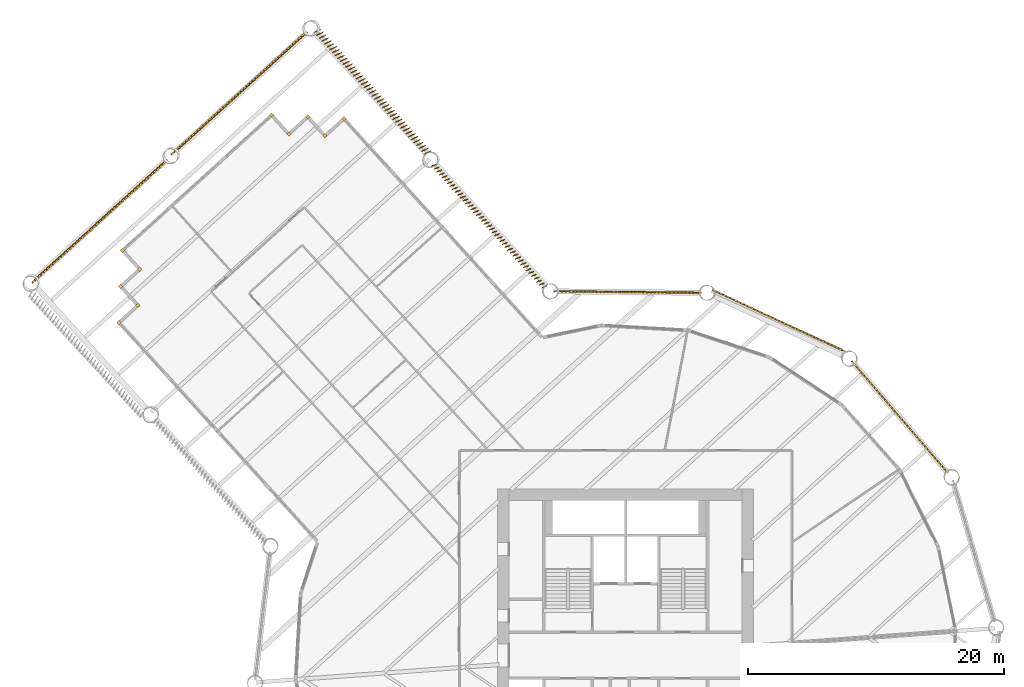
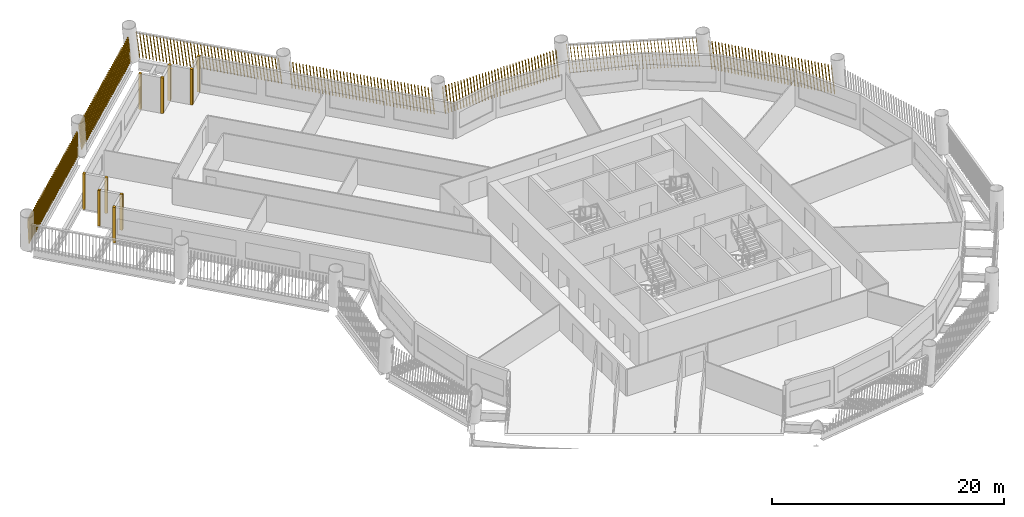
# One storey, part 14 of 15: 17 shading devices.
"""IFC4 building model written with IfcOpenShell, lengths in metres."""

import ifcopenshell
import ifcopenshell.guid

model = None  # the IFC model being written
_history = None  # IfcOwnerHistory: only IFC2X3 demands one
_inside = {}  # id of a spatial element -> (the spatial element, [elements in it])
_under = {}  # id of a project, library or spatial element -> (it, [spatial elements below it])
_declared = {}  # id of a project -> (the project, [libraries it declares])
_typed = {}  # id of a type object -> (the type object, [elements of that type])
_made_of = {}  # id of a material, layer set ... -> (it, [elements and type objects made of it])


def new_model(schema):
    """Start an empty IFC model of exactly this schema.

    Asked for "IFC4X3", IfcOpenShell would pick the latest addendum, in which some entities
    have other attributes; the version numbers below select the first issue.
    IFC2X3 requires an IfcOwnerHistory on every rooted entity: one is made here for all.
    """
    global model, _history
    if schema == "IFC4X3":
        model = ifcopenshell.file(schema_version=(4, 3, 0, 0))
    else:
        model = ifcopenshell.file(schema=schema)
    _inside.clear()
    _under.clear()
    _declared.clear()
    _typed.clear()
    _made_of.clear()
    _history = None
    if model.schema == "IFC2X3":
        org = make("IfcOrganization", Name="unknown")
        user = make(
            "IfcPersonAndOrganization",
            ThePerson=make("IfcPerson", FamilyName="unknown"),
            TheOrganization=org,
        )
        app = make(
            "IfcApplication",
            ApplicationDeveloper=org,
            Version="unknown",
            ApplicationFullName="unknown",
            ApplicationIdentifier="unknown",
        )
        _history = make(
            "IfcOwnerHistory",
            OwningUser=user,
            OwningApplication=app,
            ChangeAction="ADDED",
            CreationDate=0,
        )
    return model


def make(cls, **values):
    """One entity of the class cls with the attributes given. An attribute that is None is left unset."""
    return model.create_entity(
        cls, **{name: value for name, value in values.items() if value is not None}
    )


def rooted(cls, **values):
    """An entity with a GlobalId (a new one), such as an element, a storey or a relation."""
    return make(cls, GlobalId=ifcopenshell.guid.new(), OwnerHistory=_history, **values)


def si_unit(unit_type, name, prefix=None):
    """IfcSIUnit, for example si_unit("LENGTHUNIT", "METRE", prefix="MILLI")."""
    return make("IfcSIUnit", UnitType=unit_type, Prefix=prefix, Name=name)


def assignment(units):
    """IfcUnitAssignment: the units of a project."""
    return None if units is None else make("IfcUnitAssignment", Units=units)


def point(xyz):
    """IfcCartesianPoint."""
    return None if xyz is None else make("IfcCartesianPoint", Coordinates=xyz)


def direction(xyz):
    """IfcDirection."""
    return None if xyz is None else make("IfcDirection", DirectionRatios=xyz)


def frame(location, z_axis=None, x_axis=None):
    """IfcAxis2Placement3D, a coordinate frame: its origin and axes. An axis left out is left unset."""
    return make(
        "IfcAxis2Placement3D",
        Location=point(location),
        Axis=direction(z_axis),
        RefDirection=direction(x_axis),
    )


def frame_2d(location, x_axis=None):
    """IfcAxis2Placement2D, a coordinate frame in the plane: its origin and x axis."""
    return make(
        "IfcAxis2Placement2D", Location=point(location), RefDirection=direction(x_axis)
    )


def origin():
    """The frame at (0, 0, 0) with its axes left unset."""
    return frame((0.0, 0.0, 0.0))


def origin_2d():
    """The frame at (0, 0) in the plane with its x axis left unset."""
    return frame_2d((0.0, 0.0))


def place(relative_to, where):
    """IfcLocalPlacement: puts the frame where relative to a parent placement (None: the world)."""
    return make(
        "IfcLocalPlacement", PlacementRelTo=relative_to, RelativePlacement=where
    )


def context(
    kind, dimensions, precision=None, world=None, true_north=None, identifier=None
):
    """IfcGeometricRepresentationContext, for example the 3D "Model" context."""
    return make(
        "IfcGeometricRepresentationContext",
        ContextIdentifier=identifier,
        ContextType=kind,
        CoordinateSpaceDimension=dimensions,
        Precision=precision,
        WorldCoordinateSystem=world,
        TrueNorth=true_north,
    )


def subcontext(parent, identifier, kind, view, scale=None):
    """IfcGeometricRepresentationSubContext, for example "Body" below "Model"."""
    return make(
        "IfcGeometricRepresentationSubContext",
        ContextIdentifier=identifier,
        ContextType=kind,
        ParentContext=parent,
        TargetScale=scale,
        TargetView=view,
    )


def project(units=None, contexts=None):
    """IfcProject with its units and contexts."""
    return rooted(
        "IfcProject",
        Name="project",
        RepresentationContexts=contexts,
        UnitsInContext=assignment(units),
    )


def spatial(cls, under=None, at=None, **own):
    """A site, building, storey or space (cls), placed at a placement, below another one or the project."""
    s = rooted(cls, ObjectPlacement=at, **own)
    if under is not None:
        _under.setdefault(under.id(), (under, []))[1].append(s)
    return s


def profile(cls, at=None, kind="AREA", **sizes):
    """A parametric profile (cls). Its sizes go by their IFC names, for example OverallWidth=200.0."""
    return make(cls, ProfileType=kind, Position=at, **sizes)


def rectangle(**sizes):
    """IfcRectangleProfileDef."""
    return profile("IfcRectangleProfileDef", **sizes)


def composite_profile(profiles, kind="AREA"):
    """IfcCompositeProfileDef: several profiles as one."""
    return make("IfcCompositeProfileDef", ProfileType=kind, Profiles=profiles)


def extrude(swept, where, along, depth):
    """IfcExtrudedAreaSolid: the profile swept, set in the frame where, extruded along a direction by depth."""
    return make(
        "IfcExtrudedAreaSolid",
        SweptArea=swept,
        Position=where,
        ExtrudedDirection=direction(along),
        Depth=depth,
    )


def shape(context_of_items, identifier, shape_type, items):
    """IfcShapeRepresentation: the items that make up one representation, for example the "Body"."""
    return make(
        "IfcShapeRepresentation",
        ContextOfItems=context_of_items,
        RepresentationIdentifier=identifier,
        RepresentationType=shape_type,
        Items=items,
    )


def material(Name=None, Category=None):
    """IfcMaterial."""
    return make("IfcMaterial", Name=Name, Category=Category)


def made_of(thing, what):
    """Note that an element or type object is made of a material, layer set ...; save() writes the relation."""
    if what is not None:
        _made_of.setdefault(what.id(), (what, []))[1].append(thing)
    return thing


def type_object(cls, material=None, **own):
    """A type object (cls), such as IfcWallType, which elements share."""
    return made_of(rooted(cls, **own), material)


def element(
    cls,
    number,
    at=None,
    inside=None,
    cuts=None,
    type_object=None,
    material=None,
    context=None,
    identifier="Body",
    shape_type=None,
    held_by="IfcProductDefinitionShape",
    body=None,
    shapes=None,
    **own,
):
    """One element of the class cls, such as IfcWall. Its Tag is "e" and its number.

    at: its placement. inside: the storey or other place that contains it. cuts: it is an
    opening in that element (IfcRelVoidsElement). A single representation is given by context,
    identifier, shape_type and body (its items); several are given by shapes. held_by: the class
    of the entity that holds the representations. save() writes the other relations.
    """
    e = rooted(cls, Tag="e%d" % number, ObjectPlacement=at, **own)
    if body is not None:
        shapes = [shape(context, identifier, shape_type, body)]
    if shapes is not None:
        e.Representation = make(held_by, Representations=shapes)
    if inside is not None:
        _inside.setdefault(inside.id(), (inside, []))[1].append(e)
    if cuts is not None:
        rooted(
            "IfcRelVoidsElement", RelatingBuildingElement=cuts, RelatedOpeningElement=e
        )
    if type_object is not None:
        _typed.setdefault(type_object.id(), (type_object, []))[1].append(e)
    return made_of(e, material)


def aggregate(whole, parts):
    """IfcRelAggregates: a whole, such as a stair, and the parts it consists of."""
    return rooted("IfcRelAggregates", RelatingObject=whole, RelatedObjects=parts)


def save(model, path):
    """Write the relations noted so far, then the file.

    IfcRelAggregates (storeys below a building ...), IfcRelContainedInSpatialStructure (elements
    in a storey), IfcRelDefinesByType, IfcRelAssociatesMaterial and IfcRelDeclares: one each for
    every whole, place, type object, material and project.
    """
    for whole, parts in _under.values():
        aggregate(whole, parts)
    for where, things in _inside.values():
        rooted(
            "IfcRelContainedInSpatialStructure",
            RelatedElements=things,
            RelatingStructure=where,
        )
    for kind, things in _typed.values():
        rooted("IfcRelDefinesByType", RelatedObjects=things, RelatingType=kind)
    for what, things in _made_of.values():
        rooted("IfcRelAssociatesMaterial", RelatedObjects=things, RelatingMaterial=what)
    for by, libraries in _declared.values():
        rooted("IfcRelDeclares", RelatingContext=by, RelatedDefinitions=libraries)
    model.write(path)


model = new_model("IFC4")

# Units and contexts
model_context = context("Model", 3, precision=1e-05, world=origin(), true_north=direction((0.0, 1.0)))
body_context = subcontext(model_context, "Body", "Model", "MODEL_VIEW")
ifc_project = project(units=[si_unit("LENGTHUNIT", "METRE"), si_unit("AREAUNIT", "SQUARE_METRE"), si_unit("VOLUMEUNIT", "CUBIC_METRE"), si_unit("PLANEANGLEUNIT", "RADIAN"), si_unit("MASSUNIT", "GRAM", prefix="KILO")], contexts=[model_context])

# Site, building, storey
site_placement = place(None, origin())
site = spatial("IfcSite", under=ifc_project, at=site_placement, CompositionType="ELEMENT")
building_placement = place(site_placement, origin())
building = spatial("IfcBuilding", under=site, at=building_placement, Name="Tarsis Ring Headquarters", CompositionType="ELEMENT")
storey_placement = place(building_placement, frame((0.0, 0.0, 59.5)))
storey = spatial("IfcBuildingStorey", under=building, at=storey_placement, Name="L12", CompositionType="ELEMENT", Elevation=59.5)

# Shading devices
ifc_material = material(Name="Terracotta baguette", Category="masonry")
shading_device_type_1 = type_object("IfcShadingDeviceType", Name="Terracotta baguette screen", PredefinedType="USERDEFINED", material=ifc_material)
shading_device_1_placement = place(storey_placement, frame((25.19189453125, 14.2587890625, 0.0), z_axis=(0.0, 0.0, 1.0), x_axis=(-0.652284319045, 0.757981551818, 0.0)))
element("IfcShadingDevice", 1, at=shading_device_1_placement, inside=storey, type_object=shading_device_type_1, Name="Baguette screen L12-12", ObjectType="Terracotta baguette screen", PredefinedType="USERDEFINED", context=body_context, shape_type="SweptSolid", body=[
    extrude(composite_profile([rectangle(XDim=0.06005859375, YDim=0.1201171875, at=frame_2d((0.030029296875, 0.0))), rectangle(XDim=0.06005859375, YDim=0.1201171875, at=frame_2d((0.33251953125, 0.0))), rectangle(XDim=0.06005859375, YDim=0.1201171875, at=frame_2d((0.634765625, 0.0))), rectangle(XDim=0.06005859375, YDim=0.1201171875, at=frame_2d((0.937255859375, 0.0))), rectangle(XDim=0.06005859375, YDim=0.1201171875, at=frame_2d((1.239501953125, 0.0))), rectangle(XDim=0.06005859375, YDim=0.1201171875, at=frame_2d((1.5419921875, 0.0))), rectangle(XDim=0.06005859375, YDim=0.1201171875, at=frame_2d((1.844482421875, 0.0))), rectangle(XDim=0.06005859375, YDim=0.1201171875, at=frame_2d((2.146728515625, 0.0))), rectangle(XDim=0.06005859375, YDim=0.1201171875, at=frame_2d((2.44921875, 0.0))), rectangle(XDim=0.06005859375, YDim=0.1201171875, at=frame_2d((2.751708984375, 0.0))), rectangle(XDim=0.06005859375, YDim=0.1201171875, at=frame_2d((3.053955078125, 0.0))), rectangle(XDim=0.06005859375, YDim=0.1201171875, at=frame_2d((3.3564453125, 0.0))), rectangle(XDim=0.06005859375, YDim=0.1201171875, at=frame_2d((3.65869140625, 0.0))), rectangle(XDim=0.06005859375, YDim=0.1201171875, at=frame_2d((3.961181640625, 0.0))), rectangle(XDim=0.06005859375, YDim=0.1201171875, at=frame_2d((4.263671875, 0.0))), rectangle(XDim=0.06005859375, YDim=0.1201171875, at=frame_2d((4.56591796875, 0.0))), rectangle(XDim=0.06005859375, YDim=0.1201171875, at=frame_2d((4.868408203125, 0.0))), rectangle(XDim=0.06005859375, YDim=0.1201171875, at=frame_2d((5.1708984375, 0.0))), rectangle(XDim=0.06005859375, YDim=0.1201171875, at=frame_2d((5.47314453125, 0.0))), rectangle(XDim=0.06005859375, YDim=0.1201171875, at=frame_2d((5.775634765625, 0.0))), rectangle(XDim=0.06005859375, YDim=0.1201171875, at=frame_2d((6.077880859375, 0.0))), rectangle(XDim=0.06005859375, YDim=0.1201171875, at=frame_2d((6.38037109375, 0.0))), rectangle(XDim=0.06005859375, YDim=0.1201171875, at=frame_2d((6.682861328125, 0.0))), rectangle(XDim=0.06005859375, YDim=0.1201171875, at=frame_2d((6.985107421875, 0.0))), rectangle(XDim=0.06005859375, YDim=0.1201171875, at=frame_2d((7.28759765625, 0.0))), rectangle(XDim=0.06005859375, YDim=0.1201171875, at=frame_2d((7.590087890625, 0.0))), rectangle(XDim=0.06005859375, YDim=0.1201171875, at=frame_2d((7.892333984375, 0.0))), rectangle(XDim=0.06005859375, YDim=0.1201171875, at=frame_2d((8.19482421875, 0.0))), rectangle(XDim=0.06005859375, YDim=0.1201171875, at=frame_2d((8.4970703125, 0.0))), rectangle(XDim=0.06005859375, YDim=0.1201171875, at=frame_2d((8.799560546875, 0.0))), rectangle(XDim=0.06005859375, YDim=0.1201171875, at=frame_2d((9.10205078125, 0.0))), rectangle(XDim=0.06005859375, YDim=0.1201171875, at=frame_2d((9.404296875, 0.0))), rectangle(XDim=0.06005859375, YDim=0.1201171875, at=frame_2d((9.706787109375, 0.0))), rectangle(XDim=0.06005859375, YDim=0.1201171875, at=frame_2d((10.00927734375, 0.0))), rectangle(XDim=0.06005859375, YDim=0.1201171875, at=frame_2d((10.3115234375, 0.0))), rectangle(XDim=0.06005859375, YDim=0.1201171875, at=frame_2d((10.614013671875, 0.0))), rectangle(XDim=0.06005859375, YDim=0.1201171875, at=frame_2d((10.916259765625, 0.0))), rectangle(XDim=0.06005859375, YDim=0.1201171875, at=frame_2d((11.21875, 0.0)))]), origin(), (0.1002008051, 0.000524743223, 0.994967096593), 2.967529296875),
])
shading_device_2_placement = place(storey_placement, frame((17.233154296875, 23.71484375, 0.0), z_axis=(0.0, 0.0, 1.0), x_axis=(-0.906717308736, 0.421747151384, 0.0)))
element("IfcShadingDevice", 2, at=shading_device_2_placement, inside=storey, type_object=shading_device_type_1, Name="Baguette screen L12-13", ObjectType="Terracotta baguette screen", PredefinedType="USERDEFINED", context=body_context, shape_type="SweptSolid", body=[
    extrude(composite_profile([rectangle(XDim=0.06005859375, YDim=0.1201171875, at=frame_2d((0.030029296875, 0.0))), rectangle(XDim=0.06005859375, YDim=0.1201171875, at=frame_2d((0.33251953125, 0.0))), rectangle(XDim=0.06005859375, YDim=0.1201171875, at=frame_2d((0.634765625, 0.0))), rectangle(XDim=0.06005859375, YDim=0.1201171875, at=frame_2d((0.937255859375, 0.0))), rectangle(XDim=0.06005859375, YDim=0.1201171875, at=frame_2d((1.239501953125, 0.0))), rectangle(XDim=0.06005859375, YDim=0.1201171875, at=frame_2d((1.5419921875, 0.0))), rectangle(XDim=0.06005859375, YDim=0.1201171875, at=frame_2d((1.844482421875, 0.0))), rectangle(XDim=0.06005859375, YDim=0.1201171875, at=frame_2d((2.146728515625, 0.0))), rectangle(XDim=0.06005859375, YDim=0.1201171875, at=frame_2d((2.44921875, 0.0))), rectangle(XDim=0.06005859375, YDim=0.1201171875, at=frame_2d((2.751708984375, 0.0))), rectangle(XDim=0.06005859375, YDim=0.1201171875, at=frame_2d((3.053955078125, 0.0))), rectangle(XDim=0.06005859375, YDim=0.1201171875, at=frame_2d((3.3564453125, 0.0))), rectangle(XDim=0.06005859375, YDim=0.1201171875, at=frame_2d((3.65869140625, 0.0))), rectangle(XDim=0.06005859375, YDim=0.1201171875, at=frame_2d((3.961181640625, 0.0))), rectangle(XDim=0.06005859375, YDim=0.1201171875, at=frame_2d((4.263671875, 0.0))), rectangle(XDim=0.06005859375, YDim=0.1201171875, at=frame_2d((4.56591796875, 0.0))), rectangle(XDim=0.06005859375, YDim=0.1201171875, at=frame_2d((4.868408203125, 0.0))), rectangle(XDim=0.06005859375, YDim=0.1201171875, at=frame_2d((5.1708984375, 0.0))), rectangle(XDim=0.06005859375, YDim=0.1201171875, at=frame_2d((5.47314453125, 0.0))), rectangle(XDim=0.06005859375, YDim=0.1201171875, at=frame_2d((5.775634765625, 0.0))), rectangle(XDim=0.06005859375, YDim=0.1201171875, at=frame_2d((6.077880859375, 0.0))), rectangle(XDim=0.06005859375, YDim=0.1201171875, at=frame_2d((6.38037109375, 0.0))), rectangle(XDim=0.06005859375, YDim=0.1201171875, at=frame_2d((6.682861328125, 0.0))), rectangle(XDim=0.06005859375, YDim=0.1201171875, at=frame_2d((6.985107421875, 0.0))), rectangle(XDim=0.06005859375, YDim=0.1201171875, at=frame_2d((7.28759765625, 0.0))), rectangle(XDim=0.06005859375, YDim=0.1201171875, at=frame_2d((7.590087890625, 0.0))), rectangle(XDim=0.06005859375, YDim=0.1201171875, at=frame_2d((7.892333984375, 0.0))), rectangle(XDim=0.06005859375, YDim=0.1201171875, at=frame_2d((8.19482421875, 0.0))), rectangle(XDim=0.06005859375, YDim=0.1201171875, at=frame_2d((8.4970703125, 0.0))), rectangle(XDim=0.06005859375, YDim=0.1201171875, at=frame_2d((8.799560546875, 0.0))), rectangle(XDim=0.06005859375, YDim=0.1201171875, at=frame_2d((9.10205078125, 0.0))), rectangle(XDim=0.06005859375, YDim=0.1201171875, at=frame_2d((9.404296875, 0.0))), rectangle(XDim=0.06005859375, YDim=0.1201171875, at=frame_2d((9.706787109375, 0.0))), rectangle(XDim=0.06005859375, YDim=0.1201171875, at=frame_2d((10.00927734375, 0.0))), rectangle(XDim=0.06005859375, YDim=0.1201171875, at=frame_2d((10.3115234375, 0.0))), rectangle(XDim=0.06005859375, YDim=0.1201171875, at=frame_2d((10.614013671875, 0.0))), rectangle(XDim=0.06005859375, YDim=0.1201171875, at=frame_2d((10.916259765625, 0.0))), rectangle(XDim=0.06005859375, YDim=0.1201171875, at=frame_2d((11.21875, 0.0)))]), origin(), (0.101510555568, 0.000533667454, 0.994834319024), 2.968017578125),
])
shading_device_3_placement = place(storey_placement, frame((5.922119140625, 28.3349609375, 0.0), z_axis=(0.0, 0.0, 1.0), x_axis=(-0.999934890181, 0.010504384061, 0.0)))
element("IfcShadingDevice", 3, at=shading_device_3_placement, inside=storey, type_object=shading_device_type_1, Name="Baguette screen L12-14", ObjectType="Terracotta baguette screen", PredefinedType="USERDEFINED", context=body_context, shape_type="SweptSolid", body=[
    extrude(composite_profile([rectangle(XDim=0.06005859375, YDim=0.1201171875, at=frame_2d((0.030029296875, 0.0))), rectangle(XDim=0.06005859375, YDim=0.1201171875, at=frame_2d((0.33251953125, 0.0))), rectangle(XDim=0.06005859375, YDim=0.1201171875, at=frame_2d((0.634765625, 0.0))), rectangle(XDim=0.06005859375, YDim=0.1201171875, at=frame_2d((0.937255859375, 0.0))), rectangle(XDim=0.06005859375, YDim=0.1201171875, at=frame_2d((1.239501953125, 0.0))), rectangle(XDim=0.06005859375, YDim=0.1201171875, at=frame_2d((1.5419921875, 0.0))), rectangle(XDim=0.06005859375, YDim=0.1201171875, at=frame_2d((1.844482421875, 0.0))), rectangle(XDim=0.06005859375, YDim=0.1201171875, at=frame_2d((2.146728515625, 0.0))), rectangle(XDim=0.06005859375, YDim=0.1201171875, at=frame_2d((2.44921875, 0.0))), rectangle(XDim=0.06005859375, YDim=0.1201171875, at=frame_2d((2.751708984375, 0.0))), rectangle(XDim=0.06005859375, YDim=0.1201171875, at=frame_2d((3.053955078125, 0.0))), rectangle(XDim=0.06005859375, YDim=0.1201171875, at=frame_2d((3.3564453125, 0.0))), rectangle(XDim=0.06005859375, YDim=0.1201171875, at=frame_2d((3.65869140625, 0.0))), rectangle(XDim=0.06005859375, YDim=0.1201171875, at=frame_2d((3.961181640625, 0.0))), rectangle(XDim=0.06005859375, YDim=0.1201171875, at=frame_2d((4.263671875, 0.0))), rectangle(XDim=0.06005859375, YDim=0.1201171875, at=frame_2d((4.56591796875, 0.0))), rectangle(XDim=0.06005859375, YDim=0.1201171875, at=frame_2d((4.868408203125, 0.0))), rectangle(XDim=0.06005859375, YDim=0.1201171875, at=frame_2d((5.1708984375, 0.0))), rectangle(XDim=0.06005859375, YDim=0.1201171875, at=frame_2d((5.47314453125, 0.0))), rectangle(XDim=0.06005859375, YDim=0.1201171875, at=frame_2d((5.775634765625, 0.0))), rectangle(XDim=0.06005859375, YDim=0.1201171875, at=frame_2d((6.077880859375, 0.0))), rectangle(XDim=0.06005859375, YDim=0.1201171875, at=frame_2d((6.38037109375, 0.0))), rectangle(XDim=0.06005859375, YDim=0.1201171875, at=frame_2d((6.682861328125, 0.0))), rectangle(XDim=0.06005859375, YDim=0.1201171875, at=frame_2d((6.985107421875, 0.0))), rectangle(XDim=0.06005859375, YDim=0.1201171875, at=frame_2d((7.28759765625, 0.0))), rectangle(XDim=0.06005859375, YDim=0.1201171875, at=frame_2d((7.590087890625, 0.0))), rectangle(XDim=0.06005859375, YDim=0.1201171875, at=frame_2d((7.892333984375, 0.0))), rectangle(XDim=0.06005859375, YDim=0.1201171875, at=frame_2d((8.19482421875, 0.0))), rectangle(XDim=0.06005859375, YDim=0.1201171875, at=frame_2d((8.4970703125, 0.0))), rectangle(XDim=0.06005859375, YDim=0.1201171875, at=frame_2d((8.799560546875, 0.0))), rectangle(XDim=0.06005859375, YDim=0.1201171875, at=frame_2d((9.10205078125, 0.0))), rectangle(XDim=0.06005859375, YDim=0.1201171875, at=frame_2d((9.404296875, 0.0))), rectangle(XDim=0.06005859375, YDim=0.1201171875, at=frame_2d((9.706787109375, 0.0))), rectangle(XDim=0.06005859375, YDim=0.1201171875, at=frame_2d((10.00927734375, 0.0))), rectangle(XDim=0.06005859375, YDim=0.1201171875, at=frame_2d((10.3115234375, 0.0))), rectangle(XDim=0.06005859375, YDim=0.1201171875, at=frame_2d((10.614013671875, 0.0))), rectangle(XDim=0.06005859375, YDim=0.1201171875, at=frame_2d((10.916259765625, 0.0))), rectangle(XDim=0.06005859375, YDim=0.1201171875, at=frame_2d((11.21875, 0.0)))]), origin(), (0.100199447942, 0.000525884956, 0.994967232665), 2.967529296875),
])
shading_device_4_placement = place(storey_placement, frame((-6.161865234375, 28.82861328125, 0.0), z_axis=(0.0, 0.0, 1.0), x_axis=(-0.671718891916, 0.740803814714, 0.0)))
element("IfcShadingDevice", 4, at=shading_device_4_placement, inside=storey, type_object=shading_device_type_1, Name="Baguette screen L12-15", ObjectType="Terracotta baguette screen", PredefinedType="USERDEFINED", context=body_context, shape_type="SweptSolid", body=[
    extrude(composite_profile([rectangle(XDim=0.06005859375, YDim=0.1201171875, at=frame_2d((0.030029296875, 0.0))), rectangle(XDim=0.06005859375, YDim=0.1201171875, at=frame_2d((0.335693359375, 0.0))), rectangle(XDim=0.06005859375, YDim=0.1201171875, at=frame_2d((0.6416015625, 0.0))), rectangle(XDim=0.06005859375, YDim=0.1201171875, at=frame_2d((0.947265625, 0.0))), rectangle(XDim=0.06005859375, YDim=0.1201171875, at=frame_2d((1.253173828125, 0.0))), rectangle(XDim=0.06005859375, YDim=0.1201171875, at=frame_2d((1.558837890625, 0.0))), rectangle(XDim=0.06005859375, YDim=0.1201171875, at=frame_2d((1.864501953125, 0.0))), rectangle(XDim=0.06005859375, YDim=0.1201171875, at=frame_2d((2.17041015625, 0.0))), rectangle(XDim=0.06005859375, YDim=0.1201171875, at=frame_2d((2.47607421875, 0.0))), rectangle(XDim=0.06005859375, YDim=0.1201171875, at=frame_2d((2.781982421875, 0.0))), rectangle(XDim=0.06005859375, YDim=0.1201171875, at=frame_2d((3.087646484375, 0.0))), rectangle(XDim=0.06005859375, YDim=0.1201171875, at=frame_2d((3.393310546875, 0.0))), rectangle(XDim=0.06005859375, YDim=0.1201171875, at=frame_2d((3.69921875, 0.0))), rectangle(XDim=0.06005859375, YDim=0.1201171875, at=frame_2d((4.0048828125, 0.0))), rectangle(XDim=0.06005859375, YDim=0.1201171875, at=frame_2d((4.310791015625, 0.0))), rectangle(XDim=0.06005859375, YDim=0.1201171875, at=frame_2d((4.616455078125, 0.0))), rectangle(XDim=0.06005859375, YDim=0.1201171875, at=frame_2d((4.922119140625, 0.0))), rectangle(XDim=0.06005859375, YDim=0.1201171875, at=frame_2d((5.22802734375, 0.0))), rectangle(XDim=0.06005859375, YDim=0.1201171875, at=frame_2d((5.53369140625, 0.0))), rectangle(XDim=0.06005859375, YDim=0.1201171875, at=frame_2d((5.839599609375, 0.0))), rectangle(XDim=0.06005859375, YDim=0.1201171875, at=frame_2d((6.145263671875, 0.0))), rectangle(XDim=0.06005859375, YDim=0.1201171875, at=frame_2d((6.451171875, 0.0))), rectangle(XDim=0.06005859375, YDim=0.1201171875, at=frame_2d((6.7568359375, 0.0))), rectangle(XDim=0.06005859375, YDim=0.1201171875, at=frame_2d((7.0625, 0.0))), rectangle(XDim=0.06005859375, YDim=0.1201171875, at=frame_2d((7.368408203125, 0.0))), rectangle(XDim=0.06005859375, YDim=0.1201171875, at=frame_2d((7.674072265625, 0.0))), rectangle(XDim=0.06005859375, YDim=0.1201171875, at=frame_2d((7.97998046875, 0.0))), rectangle(XDim=0.06005859375, YDim=0.1201171875, at=frame_2d((8.28564453125, 0.0))), rectangle(XDim=0.06005859375, YDim=0.1201171875, at=frame_2d((8.59130859375, 0.0))), rectangle(XDim=0.06005859375, YDim=0.1201171875, at=frame_2d((8.897216796875, 0.0))), rectangle(XDim=0.06005859375, YDim=0.1201171875, at=frame_2d((9.202880859375, 0.0))), rectangle(XDim=0.06005859375, YDim=0.1201171875, at=frame_2d((9.5087890625, 0.0))), rectangle(XDim=0.06005859375, YDim=0.1201171875, at=frame_2d((9.814453125, 0.0))), rectangle(XDim=0.06005859375, YDim=0.1201171875, at=frame_2d((10.1201171875, 0.0))), rectangle(XDim=0.06005859375, YDim=0.1201171875, at=frame_2d((10.426025390625, 0.0))), rectangle(XDim=0.06005859375, YDim=0.1201171875, at=frame_2d((10.731689453125, 0.0))), rectangle(XDim=0.06005859375, YDim=0.1201171875, at=frame_2d((11.03759765625, 0.0))), rectangle(XDim=0.06005859375, YDim=0.1201171875, at=frame_2d((11.34326171875, 0.0))), rectangle(XDim=0.06005859375, YDim=0.1201171875, at=frame_2d((11.64892578125, 0.0))), rectangle(XDim=0.06005859375, YDim=0.1201171875, at=frame_2d((11.954833984375, 0.0))), rectangle(XDim=0.06005859375, YDim=0.1201171875, at=frame_2d((12.260498046875, 0.0))), rectangle(XDim=0.06005859375, YDim=0.1201171875, at=frame_2d((12.56640625, 0.0))), rectangle(XDim=0.06005859375, YDim=0.1201171875, at=frame_2d((12.8720703125, 0.0)))]), origin(), (0.051496236642, 0.112700912023, 0.992293626928), 2.9755859375),
])
shading_device_5_placement = place(storey_placement, frame((-15.22265625, 39.37939453125, 0.0), z_axis=(0.0, 0.0, 1.0), x_axis=(-0.671712680001, 0.740817832611, 0.0)))
element("IfcShadingDevice", 5, at=shading_device_5_placement, inside=storey, type_object=shading_device_type_1, Name="Baguette screen L12-16", ObjectType="Terracotta baguette screen", PredefinedType="USERDEFINED", context=body_context, shape_type="SweptSolid", body=[
    extrude(composite_profile([rectangle(XDim=0.06005859375, YDim=0.1201171875, at=frame_2d((0.030029296875, 0.0))), rectangle(XDim=0.06005859375, YDim=0.1201171875, at=frame_2d((0.335693359375, 0.0))), rectangle(XDim=0.06005859375, YDim=0.1201171875, at=frame_2d((0.6416015625, 0.0))), rectangle(XDim=0.06005859375, YDim=0.1201171875, at=frame_2d((0.947265625, 0.0))), rectangle(XDim=0.06005859375, YDim=0.1201171875, at=frame_2d((1.253173828125, 0.0))), rectangle(XDim=0.06005859375, YDim=0.1201171875, at=frame_2d((1.558837890625, 0.0))), rectangle(XDim=0.06005859375, YDim=0.1201171875, at=frame_2d((1.864501953125, 0.0))), rectangle(XDim=0.06005859375, YDim=0.1201171875, at=frame_2d((2.17041015625, 0.0))), rectangle(XDim=0.06005859375, YDim=0.1201171875, at=frame_2d((2.47607421875, 0.0))), rectangle(XDim=0.06005859375, YDim=0.1201171875, at=frame_2d((2.781982421875, 0.0))), rectangle(XDim=0.06005859375, YDim=0.1201171875, at=frame_2d((3.087646484375, 0.0))), rectangle(XDim=0.06005859375, YDim=0.1201171875, at=frame_2d((3.393310546875, 0.0))), rectangle(XDim=0.06005859375, YDim=0.1201171875, at=frame_2d((3.69921875, 0.0))), rectangle(XDim=0.06005859375, YDim=0.1201171875, at=frame_2d((4.0048828125, 0.0))), rectangle(XDim=0.06005859375, YDim=0.1201171875, at=frame_2d((4.310791015625, 0.0))), rectangle(XDim=0.06005859375, YDim=0.1201171875, at=frame_2d((4.616455078125, 0.0))), rectangle(XDim=0.06005859375, YDim=0.1201171875, at=frame_2d((4.922119140625, 0.0))), rectangle(XDim=0.06005859375, YDim=0.1201171875, at=frame_2d((5.22802734375, 0.0))), rectangle(XDim=0.06005859375, YDim=0.1201171875, at=frame_2d((5.53369140625, 0.0))), rectangle(XDim=0.06005859375, YDim=0.1201171875, at=frame_2d((5.839599609375, 0.0))), rectangle(XDim=0.06005859375, YDim=0.1201171875, at=frame_2d((6.145263671875, 0.0))), rectangle(XDim=0.06005859375, YDim=0.1201171875, at=frame_2d((6.451171875, 0.0))), rectangle(XDim=0.06005859375, YDim=0.1201171875, at=frame_2d((6.7568359375, 0.0))), rectangle(XDim=0.06005859375, YDim=0.1201171875, at=frame_2d((7.0625, 0.0))), rectangle(XDim=0.06005859375, YDim=0.1201171875, at=frame_2d((7.368408203125, 0.0))), rectangle(XDim=0.06005859375, YDim=0.1201171875, at=frame_2d((7.674072265625, 0.0))), rectangle(XDim=0.06005859375, YDim=0.1201171875, at=frame_2d((7.97998046875, 0.0))), rectangle(XDim=0.06005859375, YDim=0.1201171875, at=frame_2d((8.28564453125, 0.0))), rectangle(XDim=0.06005859375, YDim=0.1201171875, at=frame_2d((8.59130859375, 0.0))), rectangle(XDim=0.06005859375, YDim=0.1201171875, at=frame_2d((8.897216796875, 0.0))), rectangle(XDim=0.06005859375, YDim=0.1201171875, at=frame_2d((9.202880859375, 0.0))), rectangle(XDim=0.06005859375, YDim=0.1201171875, at=frame_2d((9.5087890625, 0.0))), rectangle(XDim=0.06005859375, YDim=0.1201171875, at=frame_2d((9.814453125, 0.0))), rectangle(XDim=0.06005859375, YDim=0.1201171875, at=frame_2d((10.1201171875, 0.0))), rectangle(XDim=0.06005859375, YDim=0.1201171875, at=frame_2d((10.426025390625, 0.0))), rectangle(XDim=0.06005859375, YDim=0.1201171875, at=frame_2d((10.731689453125, 0.0))), rectangle(XDim=0.06005859375, YDim=0.1201171875, at=frame_2d((11.03759765625, 0.0))), rectangle(XDim=0.06005859375, YDim=0.1201171875, at=frame_2d((11.34326171875, 0.0))), rectangle(XDim=0.06005859375, YDim=0.1201171875, at=frame_2d((11.64892578125, 0.0))), rectangle(XDim=0.06005859375, YDim=0.1201171875, at=frame_2d((11.954833984375, 0.0))), rectangle(XDim=0.06005859375, YDim=0.1201171875, at=frame_2d((12.260498046875, 0.0))), rectangle(XDim=0.06005859375, YDim=0.1201171875, at=frame_2d((12.56640625, 0.0))), rectangle(XDim=0.06005859375, YDim=0.1201171875, at=frame_2d((12.8720703125, 0.0)))]), origin(), (0.052205697752, 0.160552470269, 0.985645711913), 2.99560546875),
])
shading_device_6_placement = place(storey_placement, frame((-24.873291015625, 48.719970703125, 0.0), z_axis=(0.0, 0.0, 1.0), x_axis=(-0.740818059585, -0.671714669875, 0.0)))
element("IfcShadingDevice", 6, at=shading_device_6_placement, inside=storey, type_object=shading_device_type_1, Name="Baguette screen L12-17", ObjectType="Terracotta baguette screen", PredefinedType="USERDEFINED", context=body_context, shape_type="SweptSolid", body=[
    extrude(composite_profile([rectangle(XDim=0.06005859375, YDim=0.1201171875, at=frame_2d((0.030029296875, 0.0))), rectangle(XDim=0.06005859375, YDim=0.1201171875, at=frame_2d((0.33544921875, 0.0))), rectangle(XDim=0.06005859375, YDim=0.1201171875, at=frame_2d((0.640625, 0.0))), rectangle(XDim=0.06005859375, YDim=0.1201171875, at=frame_2d((0.946044921875, 0.0))), rectangle(XDim=0.06005859375, YDim=0.1201171875, at=frame_2d((1.25146484375, 0.0))), rectangle(XDim=0.06005859375, YDim=0.1201171875, at=frame_2d((1.556640625, 0.0))), rectangle(XDim=0.06005859375, YDim=0.1201171875, at=frame_2d((1.862060546875, 0.0))), rectangle(XDim=0.06005859375, YDim=0.1201171875, at=frame_2d((2.16748046875, 0.0))), rectangle(XDim=0.06005859375, YDim=0.1201171875, at=frame_2d((2.47265625, 0.0))), rectangle(XDim=0.06005859375, YDim=0.1201171875, at=frame_2d((2.778076171875, 0.0))), rectangle(XDim=0.06005859375, YDim=0.1201171875, at=frame_2d((3.08349609375, 0.0))), rectangle(XDim=0.06005859375, YDim=0.1201171875, at=frame_2d((3.388671875, 0.0))), rectangle(XDim=0.06005859375, YDim=0.1201171875, at=frame_2d((3.694091796875, 0.0))), rectangle(XDim=0.06005859375, YDim=0.1201171875, at=frame_2d((3.99951171875, 0.0))), rectangle(XDim=0.06005859375, YDim=0.1201171875, at=frame_2d((4.3046875, 0.0))), rectangle(XDim=0.06005859375, YDim=0.1201171875, at=frame_2d((4.610107421875, 0.0))), rectangle(XDim=0.06005859375, YDim=0.1201171875, at=frame_2d((4.91552734375, 0.0))), rectangle(XDim=0.06005859375, YDim=0.1201171875, at=frame_2d((5.220703125, 0.0))), rectangle(XDim=0.06005859375, YDim=0.1201171875, at=frame_2d((5.526123046875, 0.0))), rectangle(XDim=0.06005859375, YDim=0.1201171875, at=frame_2d((5.83154296875, 0.0))), rectangle(XDim=0.06005859375, YDim=0.1201171875, at=frame_2d((6.13671875, 0.0))), rectangle(XDim=0.06005859375, YDim=0.1201171875, at=frame_2d((6.442138671875, 0.0))), rectangle(XDim=0.06005859375, YDim=0.1201171875, at=frame_2d((6.74755859375, 0.0))), rectangle(XDim=0.06005859375, YDim=0.1201171875, at=frame_2d((7.052734375, 0.0))), rectangle(XDim=0.06005859375, YDim=0.1201171875, at=frame_2d((7.358154296875, 0.0))), rectangle(XDim=0.06005859375, YDim=0.1201171875, at=frame_2d((7.66357421875, 0.0))), rectangle(XDim=0.06005859375, YDim=0.1201171875, at=frame_2d((7.96875, 0.0))), rectangle(XDim=0.06005859375, YDim=0.1201171875, at=frame_2d((8.274169921875, 0.0))), rectangle(XDim=0.06005859375, YDim=0.1201171875, at=frame_2d((8.57958984375, 0.0))), rectangle(XDim=0.06005859375, YDim=0.1201171875, at=frame_2d((8.884765625, 0.0))), rectangle(XDim=0.06005859375, YDim=0.1201171875, at=frame_2d((9.190185546875, 0.0))), rectangle(XDim=0.06005859375, YDim=0.1201171875, at=frame_2d((9.49560546875, 0.0))), rectangle(XDim=0.06005859375, YDim=0.1201171875, at=frame_2d((9.80078125, 0.0))), rectangle(XDim=0.06005859375, YDim=0.1201171875, at=frame_2d((10.106201171875, 0.0))), rectangle(XDim=0.06005859375, YDim=0.1201171875, at=frame_2d((10.41162109375, 0.0))), rectangle(XDim=0.06005859375, YDim=0.1201171875, at=frame_2d((10.716796875, 0.0))), rectangle(XDim=0.06005859375, YDim=0.1201171875, at=frame_2d((11.022216796875, 0.0))), rectangle(XDim=0.06005859375, YDim=0.1201171875, at=frame_2d((11.32763671875, 0.0))), rectangle(XDim=0.06005859375, YDim=0.1201171875, at=frame_2d((11.6328125, 0.0))), rectangle(XDim=0.06005859375, YDim=0.1201171875, at=frame_2d((11.938232421875, 0.0))), rectangle(XDim=0.06005859375, YDim=0.1201171875, at=frame_2d((12.24365234375, 0.0))), rectangle(XDim=0.06005859375, YDim=0.1201171875, at=frame_2d((12.548828125, 0.0))), rectangle(XDim=0.06005859375, YDim=0.1201171875, at=frame_2d((12.854248046875, 0.0))), rectangle(XDim=0.06005859375, YDim=0.1201171875, at=frame_2d((13.15966796875, 0.0))), rectangle(XDim=0.06005859375, YDim=0.1201171875, at=frame_2d((13.46484375, 0.0))), rectangle(XDim=0.06005859375, YDim=0.1201171875, at=frame_2d((13.770263671875, 0.0)))]), origin(), (0.184135529217, -0.024822194849, 0.982587383149), 3.0048828125),
])
shading_device_7_placement = place(storey_placement, frame((-35.837158203125, 38.778564453125, 0.0), z_axis=(0.0, 0.0, 1.0), x_axis=(-0.74080495356, -0.671720477665, 0.0)))
element("IfcShadingDevice", 7, at=shading_device_7_placement, inside=storey, type_object=shading_device_type_1, Name="Baguette screen L12-18", ObjectType="Terracotta baguette screen", PredefinedType="USERDEFINED", context=body_context, shape_type="SweptSolid", body=[
    extrude(composite_profile([rectangle(XDim=0.06005859375, YDim=0.1201171875, at=frame_2d((0.030029296875, 0.0))), rectangle(XDim=0.06005859375, YDim=0.1201171875, at=frame_2d((0.33544921875, 0.0))), rectangle(XDim=0.06005859375, YDim=0.1201171875, at=frame_2d((0.640625, 0.0))), rectangle(XDim=0.06005859375, YDim=0.1201171875, at=frame_2d((0.946044921875, 0.0))), rectangle(XDim=0.06005859375, YDim=0.1201171875, at=frame_2d((1.25146484375, 0.0))), rectangle(XDim=0.06005859375, YDim=0.1201171875, at=frame_2d((1.556640625, 0.0))), rectangle(XDim=0.06005859375, YDim=0.1201171875, at=frame_2d((1.862060546875, 0.0))), rectangle(XDim=0.06005859375, YDim=0.1201171875, at=frame_2d((2.16748046875, 0.0))), rectangle(XDim=0.06005859375, YDim=0.1201171875, at=frame_2d((2.47265625, 0.0))), rectangle(XDim=0.06005859375, YDim=0.1201171875, at=frame_2d((2.778076171875, 0.0))), rectangle(XDim=0.06005859375, YDim=0.1201171875, at=frame_2d((3.08349609375, 0.0))), rectangle(XDim=0.06005859375, YDim=0.1201171875, at=frame_2d((3.388671875, 0.0))), rectangle(XDim=0.06005859375, YDim=0.1201171875, at=frame_2d((3.694091796875, 0.0))), rectangle(XDim=0.06005859375, YDim=0.1201171875, at=frame_2d((3.99951171875, 0.0))), rectangle(XDim=0.06005859375, YDim=0.1201171875, at=frame_2d((4.3046875, 0.0))), rectangle(XDim=0.06005859375, YDim=0.1201171875, at=frame_2d((4.610107421875, 0.0))), rectangle(XDim=0.06005859375, YDim=0.1201171875, at=frame_2d((4.91552734375, 0.0))), rectangle(XDim=0.06005859375, YDim=0.1201171875, at=frame_2d((5.220703125, 0.0))), rectangle(XDim=0.06005859375, YDim=0.1201171875, at=frame_2d((5.526123046875, 0.0))), rectangle(XDim=0.06005859375, YDim=0.1201171875, at=frame_2d((5.83154296875, 0.0))), rectangle(XDim=0.06005859375, YDim=0.1201171875, at=frame_2d((6.13671875, 0.0))), rectangle(XDim=0.06005859375, YDim=0.1201171875, at=frame_2d((6.442138671875, 0.0))), rectangle(XDim=0.06005859375, YDim=0.1201171875, at=frame_2d((6.74755859375, 0.0))), rectangle(XDim=0.06005859375, YDim=0.1201171875, at=frame_2d((7.052734375, 0.0))), rectangle(XDim=0.06005859375, YDim=0.1201171875, at=frame_2d((7.358154296875, 0.0))), rectangle(XDim=0.06005859375, YDim=0.1201171875, at=frame_2d((7.66357421875, 0.0))), rectangle(XDim=0.06005859375, YDim=0.1201171875, at=frame_2d((7.96875, 0.0))), rectangle(XDim=0.06005859375, YDim=0.1201171875, at=frame_2d((8.274169921875, 0.0))), rectangle(XDim=0.06005859375, YDim=0.1201171875, at=frame_2d((8.57958984375, 0.0))), rectangle(XDim=0.06005859375, YDim=0.1201171875, at=frame_2d((8.884765625, 0.0))), rectangle(XDim=0.06005859375, YDim=0.1201171875, at=frame_2d((9.190185546875, 0.0))), rectangle(XDim=0.06005859375, YDim=0.1201171875, at=frame_2d((9.49560546875, 0.0))), rectangle(XDim=0.06005859375, YDim=0.1201171875, at=frame_2d((9.80078125, 0.0))), rectangle(XDim=0.06005859375, YDim=0.1201171875, at=frame_2d((10.106201171875, 0.0))), rectangle(XDim=0.06005859375, YDim=0.1201171875, at=frame_2d((10.41162109375, 0.0))), rectangle(XDim=0.06005859375, YDim=0.1201171875, at=frame_2d((10.716796875, 0.0))), rectangle(XDim=0.06005859375, YDim=0.1201171875, at=frame_2d((11.022216796875, 0.0))), rectangle(XDim=0.06005859375, YDim=0.1201171875, at=frame_2d((11.32763671875, 0.0))), rectangle(XDim=0.06005859375, YDim=0.1201171875, at=frame_2d((11.6328125, 0.0))), rectangle(XDim=0.06005859375, YDim=0.1201171875, at=frame_2d((11.938232421875, 0.0))), rectangle(XDim=0.06005859375, YDim=0.1201171875, at=frame_2d((12.24365234375, 0.0))), rectangle(XDim=0.06005859375, YDim=0.1201171875, at=frame_2d((12.548828125, 0.0))), rectangle(XDim=0.06005859375, YDim=0.1201171875, at=frame_2d((12.854248046875, 0.0))), rectangle(XDim=0.06005859375, YDim=0.1201171875, at=frame_2d((13.15966796875, 0.0))), rectangle(XDim=0.06005859375, YDim=0.1201171875, at=frame_2d((13.46484375, 0.0))), rectangle(XDim=0.06005859375, YDim=0.1201171875, at=frame_2d((13.770263671875, 0.0)))]), origin(), (0.183864202418, 0.026751161038, 0.982587568847), 3.0048828125),
])
shading_device_type_2 = type_object("IfcShadingDeviceType", Name="Terracotta corner baguette 250x250", PredefinedType="USERDEFINED", material=ifc_material)
for number, where, z_axis, x_axis, name in (
    (8, (-39.6123046875, 26.0078125, 0.0), (0.0, 0.0, 1.0), (-0.740804350088, -0.671720860842, 0.0), "Corner baguette L12-01"),
    (9, (-22.01806640625, 41.961181640625, 0.0), (0.0, 0.0, 1.0), (-0.671720602252, 0.740804584563, 0.0), "Corner baguette L12-32"),
    (10, (-23.499755859375, 40.61767578125, 0.0), (0.0, 0.0, 1.0), (-0.740804596287, -0.671720589323, 0.0), "Corner baguette L12-33"),
    (11, (-24.84326171875, 42.099365234375, 0.0), (0.0, 0.0, 1.0), (-0.671720343663, 0.740804819038, 0.0), "Corner baguette L12-34"),
    (12, (-26.32470703125, 40.755859375, 0.0), (0.0, 0.0, 1.0), (-0.740804572839, -0.671720615182, 0.0), "Corner baguette L12-35"),
    (13, (-27.668212890625, 42.237548828125, 0.0), (0.0, 0.0, 1.0), (-0.671720589323, 0.740804596287, 0.0), "Corner baguette L12-36"),
    (14, (-39.3359375, 31.65771484375, 0.0), (0.0, 0.0, 1.0), (-0.740804596287, -0.671720589323, 0.0), "Corner baguette L12-37"),
    (15, (-37.992431640625, 30.17626953125, 0.0), (0.0, 0.0, 1.0), (0.671720589323, -0.740804596287, 0.0), "Corner baguette L12-38"),
    (16, (-39.47412109375, 28.832763671875, 0.0), (0.0, 0.0, 1.0), (-0.740804350088, -0.671720860842, 0.0), "Corner baguette L12-39"),
    (17, (-38.130615234375, 27.35107421875, 0.0), (0.0, 0.0, 1.0), (0.671720834983, -0.740804373536, 0.0), "Corner baguette L12-40"),
):
    element("IfcShadingDevice", number, at=place(storey_placement, frame(where, z_axis=z_axis, x_axis=x_axis)), inside=storey, type_object=shading_device_type_2, Name=name, ObjectType="Terracotta corner baguette", PredefinedType="USERDEFINED", context=body_context, shape_type="SweptSolid", body=[
        extrude(rectangle(XDim=0.25, YDim=0.25, at=origin_2d()), origin(), (0.0, 0.0, 1.0), 3.739990234375),
    ])

save(model, "model.ifc")
